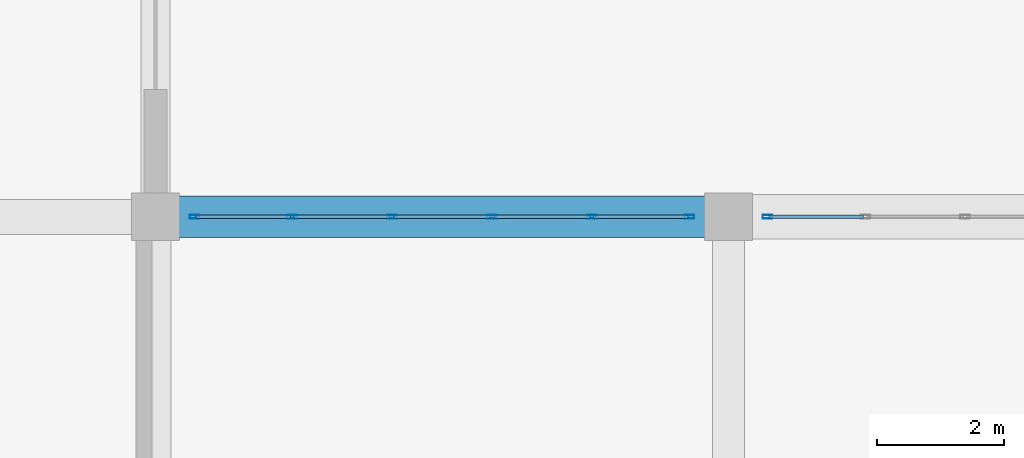
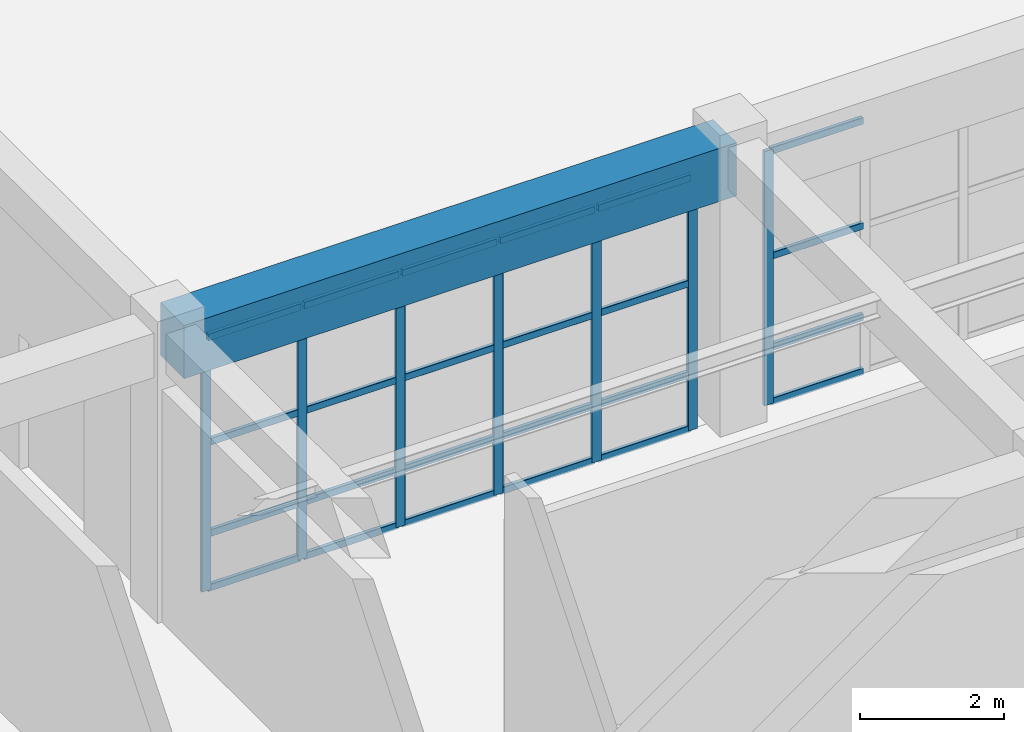
# One storey, part 68 of 128: 31 members, 1 beam, 2 elements without a shape of their own.
"""IFC4 building model written with IfcOpenShell, lengths in metres."""

from ifc_helpers import new_model, si_unit, direction, frame, origin, origin_2d, place, context, subcontext, project, spatial, rectangle, hollow_rectangle, extrude, material, material_profile, profile_set, type_object, element, aggregate, save


model = new_model("IFC4")

# Units and contexts
model_context = context("Model", 3, precision=1e-05, world=origin(), true_north=direction((0.0, 1.0)))
body_context = subcontext(model_context, "Body", "Model", "MODEL_VIEW")
ifc_project = project(units=[si_unit("LENGTHUNIT", "METRE"), si_unit("AREAUNIT", "SQUARE_METRE"), si_unit("VOLUMEUNIT", "CUBIC_METRE"), si_unit("PLANEANGLEUNIT", "RADIAN"), si_unit("MASSUNIT", "GRAM", prefix="KILO")], contexts=[model_context])

# Site, building, storey
site_placement = place(None, origin())
site = spatial("IfcSite", under=ifc_project, at=site_placement, CompositionType="ELEMENT")
building_placement = place(site_placement, origin())
building = spatial("IfcBuilding", under=site, at=building_placement, Name="Miravela Opera House", CompositionType="ELEMENT")
storey_placement = place(building_placement, origin())
storey = spatial("IfcBuildingStorey", under=building, at=storey_placement, Name="L00", CompositionType="ELEMENT", Elevation=0.0)

# Curtain wall, members
ifc_material_1 = material(Name="Anodised architectural bronze aluminium 6063-T6", Category="aluminium")
curtain_wall_type = type_object("IfcCurtainWallType", Name="ARC-CW-05", PredefinedType="NOTDEFINED", material=ifc_material_1)
curtain_wall_1_placement = place(storey_placement, origin())
curtain_wall_1 = element("IfcCurtainWall", 1, at=curtain_wall_1_placement, inside=storey, type_object=curtain_wall_type, Name="Courtyard Arcade Curtain Wall CW-L00-156", PredefinedType="NOTDEFINED")
ifc_material_profile_1 = material_profile(ifc_material_1, hollow_rectangle(XDim=0.06005859375, YDim=0.14990234375, WallThickness=0.00390625, InnerFilletRadius=0.001953125, OuterFilletRadius=0.00390625, at=origin_2d()), Name="CWM-60X150")
ifc_profile_set_1 = profile_set([ifc_material_profile_1])
member_type_1 = type_object("IfcMemberType", Name="ARC-CWM-150", PredefinedType="MULLION", material=ifc_profile_set_1)
member_1_placement = place(storey_placement, frame((117.610107421875, 84.0, 0.0), z_axis=(0.0, 0.0, 1.0), x_axis=(0.0, 1.0, 0.0)))
member_1 = element("IfcMember", 2, at=member_1_placement, type_object=member_type_1, Name="CW-05 mullion 1", PredefinedType="MULLION", context=body_context, shape_type="SweptSolid", body=[
    extrude(hollow_rectangle(XDim=0.06005859375, YDim=0.14990234375, WallThickness=0.00390625, InnerFilletRadius=0.001953125, OuterFilletRadius=0.00390625, at=origin_2d()), origin(), (0.0, 0.0, 1.0), 4.300048828125),
])
member_2_placement = place(storey_placement, frame((119.14794921875, 84.0, 0.0), z_axis=(0.0, 0.0, 1.0), x_axis=(0.0, 1.0, 0.0)))
member_2 = element("IfcMember", 3, at=member_2_placement, type_object=member_type_1, Name="CW-05 mullion 2", PredefinedType="MULLION", context=body_context, shape_type="SweptSolid", body=[
    extrude(hollow_rectangle(XDim=0.06005859375, YDim=0.14990234375, WallThickness=0.00390625, InnerFilletRadius=0.001953125, OuterFilletRadius=0.00390625, at=origin_2d()), origin(), (0.0, 0.0, 1.0), 4.300048828125),
])
member_3_placement = place(storey_placement, frame((120.716064453125, 84.0, 0.0), z_axis=(0.0, 0.0, 1.0), x_axis=(0.0, 1.0, 0.0)))
member_3 = element("IfcMember", 4, at=member_3_placement, type_object=member_type_1, Name="CW-05 mullion 3", PredefinedType="MULLION", context=body_context, shape_type="SweptSolid", body=[
    extrude(hollow_rectangle(XDim=0.06005859375, YDim=0.14990234375, WallThickness=0.00390625, InnerFilletRadius=0.001953125, OuterFilletRadius=0.00390625, at=origin_2d()), origin(), (0.0, 0.0, 1.0), 4.300048828125),
])
member_4_placement = place(storey_placement, frame((122.283935546875, 84.0, 0.0), z_axis=(0.0, 0.0, 1.0), x_axis=(0.0, 1.0, 0.0)))
member_4 = element("IfcMember", 5, at=member_4_placement, type_object=member_type_1, Name="CW-05 mullion 4", PredefinedType="MULLION", context=body_context, shape_type="SweptSolid", body=[
    extrude(hollow_rectangle(XDim=0.06005859375, YDim=0.14990234375, WallThickness=0.00390625, InnerFilletRadius=0.001953125, OuterFilletRadius=0.00390625, at=origin_2d()), origin(), (0.0, 0.0, 1.0), 4.300048828125),
])
member_5_placement = place(storey_placement, frame((123.85205078125, 84.0, 0.0), z_axis=(0.0, 0.0, 1.0), x_axis=(0.0, 1.0, 0.0)))
member_5 = element("IfcMember", 6, at=member_5_placement, type_object=member_type_1, Name="CW-05 mullion 5", PredefinedType="MULLION", context=body_context, shape_type="SweptSolid", body=[
    extrude(hollow_rectangle(XDim=0.06005859375, YDim=0.14990234375, WallThickness=0.00390625, InnerFilletRadius=0.001953125, OuterFilletRadius=0.00390625, at=origin_2d()), origin(), (0.0, 0.0, 1.0), 4.300048828125),
])
member_6_placement = place(storey_placement, frame((125.389892578125, 84.0, 0.0), z_axis=(0.0, 0.0, 1.0), x_axis=(0.0, 1.0, 0.0)))
member_6 = element("IfcMember", 7, at=member_6_placement, type_object=member_type_1, Name="CW-05 mullion 6", PredefinedType="MULLION", context=body_context, shape_type="SweptSolid", body=[
    extrude(hollow_rectangle(XDim=0.06005859375, YDim=0.14990234375, WallThickness=0.00390625, InnerFilletRadius=0.001953125, OuterFilletRadius=0.00390625, at=origin_2d()), origin(), (0.0, 0.0, 1.0), 4.300048828125),
])

# Curtain wall, member
curtain_wall_2_placement = place(storey_placement, origin())
curtain_wall_2 = element("IfcCurtainWall", 8, at=curtain_wall_2_placement, inside=storey, type_object=curtain_wall_type, Name="Courtyard Arcade Curtain Wall CW-L00-160", PredefinedType="NOTDEFINED")
member_7_placement = place(storey_placement, frame((126.610107421875, 84.0, 0.0), z_axis=(0.0, 0.0, 1.0), x_axis=(0.0, 1.0, 0.0)))
member_7 = element("IfcMember", 9, at=member_7_placement, type_object=member_type_1, Name="CW-05 mullion 1", PredefinedType="MULLION", context=body_context, shape_type="SweptSolid", body=[
    extrude(hollow_rectangle(XDim=0.06005859375, YDim=0.14990234375, WallThickness=0.00390625, InnerFilletRadius=0.001953125, OuterFilletRadius=0.00390625, at=origin_2d()), origin(), (0.0, 0.0, 1.0), 4.300048828125),
])

# Member
ifc_material_profile_2 = material_profile(ifc_material_1, hollow_rectangle(XDim=0.06005859375, YDim=0.114990234375, WallThickness=0.00390625, InnerFilletRadius=0.001953125, OuterFilletRadius=0.00390625, at=origin_2d()), Name="CWT-60X115")
ifc_profile_set_2 = profile_set([ifc_material_profile_2])
member_type_2 = type_object("IfcMemberType", Name="ARC-CWT-115", PredefinedType="USERDEFINED", material=ifc_profile_set_2)
member_8_placement = place(storey_placement, frame((117.639892578125, 84.0, 0.030029296875), z_axis=(1.0, 0.0, 0.0), x_axis=(0.0, 1.0, 0.0)))
member_8 = element("IfcMember", 10, at=member_8_placement, type_object=member_type_2, Name="CW-05 transom 1.1", ObjectType="TRANSOM", PredefinedType="USERDEFINED", context=body_context, shape_type="SweptSolid", body=[
    extrude(hollow_rectangle(XDim=0.06005859375, YDim=0.114990234375, WallThickness=0.00390625, InnerFilletRadius=0.001953125, OuterFilletRadius=0.00390625, at=origin_2d()), origin(), (0.0, 0.0, 1.0), 1.47802734375),
])

member_9_placement = place(storey_placement, frame((117.639892578125, 84.0, 0.949951171875), z_axis=(1.0, 0.0, 0.0), x_axis=(0.0, 1.0, 0.0)))
member_9 = element("IfcMember", 11, at=member_9_placement, type_object=member_type_2, Name="CW-05 transom 1.2", ObjectType="TRANSOM", PredefinedType="USERDEFINED", context=body_context, shape_type="SweptSolid", body=[
    extrude(hollow_rectangle(XDim=0.06005859375, YDim=0.114990234375, WallThickness=0.00390625, InnerFilletRadius=0.001953125, OuterFilletRadius=0.00390625, at=origin_2d()), origin(), (0.0, 0.0, 1.0), 1.47802734375),
])

member_10_placement = place(storey_placement, frame((117.639892578125, 84.0, 2.493896484375), z_axis=(1.0, 0.0, 0.0), x_axis=(0.0, 1.0, 0.0)))
member_10 = element("IfcMember", 12, at=member_10_placement, type_object=member_type_2, Name="CW-05 transom 1.3", ObjectType="TRANSOM", PredefinedType="USERDEFINED", context=body_context, shape_type="SweptSolid", body=[
    extrude(hollow_rectangle(XDim=0.06005859375, YDim=0.114990234375, WallThickness=0.00390625, InnerFilletRadius=0.001953125, OuterFilletRadius=0.00390625, at=origin_2d()), origin(), (0.0, 0.0, 1.0), 1.47802734375),
])

member_11_placement = place(storey_placement, frame((117.639892578125, 84.0, 4.27001953125), z_axis=(1.0, 0.0, 0.0), x_axis=(0.0, 1.0, 0.0)))
member_11 = element("IfcMember", 13, at=member_11_placement, type_object=member_type_2, Name="CW-05 transom 1.4", ObjectType="TRANSOM", PredefinedType="USERDEFINED", context=body_context, shape_type="SweptSolid", body=[
    extrude(hollow_rectangle(XDim=0.06005859375, YDim=0.114990234375, WallThickness=0.00390625, InnerFilletRadius=0.001953125, OuterFilletRadius=0.00390625, at=origin_2d()), origin(), (0.0, 0.0, 1.0), 1.47802734375),
])

member_12_placement = place(storey_placement, frame((119.177978515625, 84.0, 0.030029296875), z_axis=(1.0, 0.0, 0.0), x_axis=(0.0, 1.0, 0.0)))
member_12 = element("IfcMember", 14, at=member_12_placement, type_object=member_type_2, Name="CW-05 transom 2.1", ObjectType="TRANSOM", PredefinedType="USERDEFINED", context=body_context, shape_type="SweptSolid", body=[
    extrude(hollow_rectangle(XDim=0.06005859375, YDim=0.114990234375, WallThickness=0.00390625, InnerFilletRadius=0.001953125, OuterFilletRadius=0.00390625, at=origin_2d()), origin(), (0.0, 0.0, 1.0), 1.508056640625),
])

member_13_placement = place(storey_placement, frame((119.177978515625, 84.0, 0.949951171875), z_axis=(1.0, 0.0, 0.0), x_axis=(0.0, 1.0, 0.0)))
member_13 = element("IfcMember", 15, at=member_13_placement, type_object=member_type_2, Name="CW-05 transom 2.2", ObjectType="TRANSOM", PredefinedType="USERDEFINED", context=body_context, shape_type="SweptSolid", body=[
    extrude(hollow_rectangle(XDim=0.06005859375, YDim=0.114990234375, WallThickness=0.00390625, InnerFilletRadius=0.001953125, OuterFilletRadius=0.00390625, at=origin_2d()), origin(), (0.0, 0.0, 1.0), 1.508056640625),
])

member_14_placement = place(storey_placement, frame((119.177978515625, 84.0, 2.493896484375), z_axis=(1.0, 0.0, 0.0), x_axis=(0.0, 1.0, 0.0)))
member_14 = element("IfcMember", 16, at=member_14_placement, type_object=member_type_2, Name="CW-05 transom 2.3", ObjectType="TRANSOM", PredefinedType="USERDEFINED", context=body_context, shape_type="SweptSolid", body=[
    extrude(hollow_rectangle(XDim=0.06005859375, YDim=0.114990234375, WallThickness=0.00390625, InnerFilletRadius=0.001953125, OuterFilletRadius=0.00390625, at=origin_2d()), origin(), (0.0, 0.0, 1.0), 1.508056640625),
])

member_15_placement = place(storey_placement, frame((119.177978515625, 84.0, 4.27001953125), z_axis=(1.0, 0.0, 0.0), x_axis=(0.0, 1.0, 0.0)))
member_15 = element("IfcMember", 17, at=member_15_placement, type_object=member_type_2, Name="CW-05 transom 2.4", ObjectType="TRANSOM", PredefinedType="USERDEFINED", context=body_context, shape_type="SweptSolid", body=[
    extrude(hollow_rectangle(XDim=0.06005859375, YDim=0.114990234375, WallThickness=0.00390625, InnerFilletRadius=0.001953125, OuterFilletRadius=0.00390625, at=origin_2d()), origin(), (0.0, 0.0, 1.0), 1.508056640625),
])

member_16_placement = place(storey_placement, frame((120.74609375, 84.0, 0.030029296875), z_axis=(1.0, 0.0, 0.0), x_axis=(0.0, 1.0, 0.0)))
member_16 = element("IfcMember", 18, at=member_16_placement, type_object=member_type_2, Name="CW-05 transom 3.1", ObjectType="TRANSOM", PredefinedType="USERDEFINED", context=body_context, shape_type="SweptSolid", body=[
    extrude(hollow_rectangle(XDim=0.06005859375, YDim=0.114990234375, WallThickness=0.00390625, InnerFilletRadius=0.001953125, OuterFilletRadius=0.00390625, at=origin_2d()), origin(), (0.0, 0.0, 1.0), 1.5078125),
])

member_17_placement = place(storey_placement, frame((120.74609375, 84.0, 0.949951171875), z_axis=(1.0, 0.0, 0.0), x_axis=(0.0, 1.0, 0.0)))
member_17 = element("IfcMember", 19, at=member_17_placement, type_object=member_type_2, Name="CW-05 transom 3.2", ObjectType="TRANSOM", PredefinedType="USERDEFINED", context=body_context, shape_type="SweptSolid", body=[
    extrude(hollow_rectangle(XDim=0.06005859375, YDim=0.114990234375, WallThickness=0.00390625, InnerFilletRadius=0.001953125, OuterFilletRadius=0.00390625, at=origin_2d()), origin(), (0.0, 0.0, 1.0), 1.5078125),
])

member_18_placement = place(storey_placement, frame((120.74609375, 84.0, 2.493896484375), z_axis=(1.0, 0.0, 0.0), x_axis=(0.0, 1.0, 0.0)))
member_18 = element("IfcMember", 20, at=member_18_placement, type_object=member_type_2, Name="CW-05 transom 3.3", ObjectType="TRANSOM", PredefinedType="USERDEFINED", context=body_context, shape_type="SweptSolid", body=[
    extrude(hollow_rectangle(XDim=0.06005859375, YDim=0.114990234375, WallThickness=0.00390625, InnerFilletRadius=0.001953125, OuterFilletRadius=0.00390625, at=origin_2d()), origin(), (0.0, 0.0, 1.0), 1.5078125),
])

member_19_placement = place(storey_placement, frame((120.74609375, 84.0, 4.27001953125), z_axis=(1.0, 0.0, 0.0), x_axis=(0.0, 1.0, 0.0)))
member_19 = element("IfcMember", 21, at=member_19_placement, type_object=member_type_2, Name="CW-05 transom 3.4", ObjectType="TRANSOM", PredefinedType="USERDEFINED", context=body_context, shape_type="SweptSolid", body=[
    extrude(hollow_rectangle(XDim=0.06005859375, YDim=0.114990234375, WallThickness=0.00390625, InnerFilletRadius=0.001953125, OuterFilletRadius=0.00390625, at=origin_2d()), origin(), (0.0, 0.0, 1.0), 1.5078125),
])

member_20_placement = place(storey_placement, frame((122.31396484375, 84.0, 0.030029296875), z_axis=(1.0, 0.0, 0.0), x_axis=(0.0, 1.0, 0.0)))
member_20 = element("IfcMember", 22, at=member_20_placement, type_object=member_type_2, Name="CW-05 transom 4.1", ObjectType="TRANSOM", PredefinedType="USERDEFINED", context=body_context, shape_type="SweptSolid", body=[
    extrude(hollow_rectangle(XDim=0.06005859375, YDim=0.114990234375, WallThickness=0.00390625, InnerFilletRadius=0.001953125, OuterFilletRadius=0.00390625, at=origin_2d()), origin(), (0.0, 0.0, 1.0), 1.508056640625),
])

member_21_placement = place(storey_placement, frame((122.31396484375, 84.0, 0.949951171875), z_axis=(1.0, 0.0, 0.0), x_axis=(0.0, 1.0, 0.0)))
member_21 = element("IfcMember", 23, at=member_21_placement, type_object=member_type_2, Name="CW-05 transom 4.2", ObjectType="TRANSOM", PredefinedType="USERDEFINED", context=body_context, shape_type="SweptSolid", body=[
    extrude(hollow_rectangle(XDim=0.06005859375, YDim=0.114990234375, WallThickness=0.00390625, InnerFilletRadius=0.001953125, OuterFilletRadius=0.00390625, at=origin_2d()), origin(), (0.0, 0.0, 1.0), 1.508056640625),
])

member_22_placement = place(storey_placement, frame((122.31396484375, 84.0, 2.493896484375), z_axis=(1.0, 0.0, 0.0), x_axis=(0.0, 1.0, 0.0)))
member_22 = element("IfcMember", 24, at=member_22_placement, type_object=member_type_2, Name="CW-05 transom 4.3", ObjectType="TRANSOM", PredefinedType="USERDEFINED", context=body_context, shape_type="SweptSolid", body=[
    extrude(hollow_rectangle(XDim=0.06005859375, YDim=0.114990234375, WallThickness=0.00390625, InnerFilletRadius=0.001953125, OuterFilletRadius=0.00390625, at=origin_2d()), origin(), (0.0, 0.0, 1.0), 1.508056640625),
])

member_23_placement = place(storey_placement, frame((122.31396484375, 84.0, 4.27001953125), z_axis=(1.0, 0.0, 0.0), x_axis=(0.0, 1.0, 0.0)))
member_23 = element("IfcMember", 25, at=member_23_placement, type_object=member_type_2, Name="CW-05 transom 4.4", ObjectType="TRANSOM", PredefinedType="USERDEFINED", context=body_context, shape_type="SweptSolid", body=[
    extrude(hollow_rectangle(XDim=0.06005859375, YDim=0.114990234375, WallThickness=0.00390625, InnerFilletRadius=0.001953125, OuterFilletRadius=0.00390625, at=origin_2d()), origin(), (0.0, 0.0, 1.0), 1.508056640625),
])

member_24_placement = place(storey_placement, frame((123.882080078125, 84.0, 0.030029296875), z_axis=(1.0, 0.0, 0.0), x_axis=(0.0, 1.0, 0.0)))
member_24 = element("IfcMember", 26, at=member_24_placement, type_object=member_type_2, Name="CW-05 transom 5.1", ObjectType="TRANSOM", PredefinedType="USERDEFINED", context=body_context, shape_type="SweptSolid", body=[
    extrude(hollow_rectangle(XDim=0.06005859375, YDim=0.114990234375, WallThickness=0.00390625, InnerFilletRadius=0.001953125, OuterFilletRadius=0.00390625, at=origin_2d()), origin(), (0.0, 0.0, 1.0), 1.47802734375),
])

member_25_placement = place(storey_placement, frame((123.882080078125, 84.0, 0.949951171875), z_axis=(1.0, 0.0, 0.0), x_axis=(0.0, 1.0, 0.0)))
member_25 = element("IfcMember", 27, at=member_25_placement, type_object=member_type_2, Name="CW-05 transom 5.2", ObjectType="TRANSOM", PredefinedType="USERDEFINED", context=body_context, shape_type="SweptSolid", body=[
    extrude(hollow_rectangle(XDim=0.06005859375, YDim=0.114990234375, WallThickness=0.00390625, InnerFilletRadius=0.001953125, OuterFilletRadius=0.00390625, at=origin_2d()), origin(), (0.0, 0.0, 1.0), 1.47802734375),
])

member_26_placement = place(storey_placement, frame((123.882080078125, 84.0, 2.493896484375), z_axis=(1.0, 0.0, 0.0), x_axis=(0.0, 1.0, 0.0)))
member_26 = element("IfcMember", 28, at=member_26_placement, type_object=member_type_2, Name="CW-05 transom 5.3", ObjectType="TRANSOM", PredefinedType="USERDEFINED", context=body_context, shape_type="SweptSolid", body=[
    extrude(hollow_rectangle(XDim=0.06005859375, YDim=0.114990234375, WallThickness=0.00390625, InnerFilletRadius=0.001953125, OuterFilletRadius=0.00390625, at=origin_2d()), origin(), (0.0, 0.0, 1.0), 1.47802734375),
])

member_27_placement = place(storey_placement, frame((123.882080078125, 84.0, 4.27001953125), z_axis=(1.0, 0.0, 0.0), x_axis=(0.0, 1.0, 0.0)))
member_27 = element("IfcMember", 29, at=member_27_placement, type_object=member_type_2, Name="CW-05 transom 5.4", ObjectType="TRANSOM", PredefinedType="USERDEFINED", context=body_context, shape_type="SweptSolid", body=[
    extrude(hollow_rectangle(XDim=0.06005859375, YDim=0.114990234375, WallThickness=0.00390625, InnerFilletRadius=0.001953125, OuterFilletRadius=0.00390625, at=origin_2d()), origin(), (0.0, 0.0, 1.0), 1.47802734375),
])

aggregate(curtain_wall_1, [member_1, member_2, member_3, member_4, member_5, member_6, member_8, member_9, member_10, member_11, member_12, member_13, member_14, member_15, member_16, member_17, member_18, member_19, member_20, member_21, member_22, member_23, member_24, member_25, member_26, member_27])

member_28_placement = place(storey_placement, frame((126.639892578125, 84.0, 0.030029296875), z_axis=(1.0, 0.0, 0.0), x_axis=(0.0, 1.0, 0.0)))
member_28 = element("IfcMember", 30, at=member_28_placement, type_object=member_type_2, Name="CW-05 transom 1.1", ObjectType="TRANSOM", PredefinedType="USERDEFINED", context=body_context, shape_type="SweptSolid", body=[
    extrude(hollow_rectangle(XDim=0.06005859375, YDim=0.114990234375, WallThickness=0.00390625, InnerFilletRadius=0.001953125, OuterFilletRadius=0.00390625, at=origin_2d()), origin(), (0.0, 0.0, 1.0), 1.47802734375),
])

member_29_placement = place(storey_placement, frame((126.639892578125, 84.0, 0.949951171875), z_axis=(1.0, 0.0, 0.0), x_axis=(0.0, 1.0, 0.0)))
member_29 = element("IfcMember", 31, at=member_29_placement, type_object=member_type_2, Name="CW-05 transom 1.2", ObjectType="TRANSOM", PredefinedType="USERDEFINED", context=body_context, shape_type="SweptSolid", body=[
    extrude(hollow_rectangle(XDim=0.06005859375, YDim=0.114990234375, WallThickness=0.00390625, InnerFilletRadius=0.001953125, OuterFilletRadius=0.00390625, at=origin_2d()), origin(), (0.0, 0.0, 1.0), 1.47802734375),
])

member_30_placement = place(storey_placement, frame((126.639892578125, 84.0, 2.493896484375), z_axis=(1.0, 0.0, 0.0), x_axis=(0.0, 1.0, 0.0)))
member_30 = element("IfcMember", 32, at=member_30_placement, type_object=member_type_2, Name="CW-05 transom 1.3", ObjectType="TRANSOM", PredefinedType="USERDEFINED", context=body_context, shape_type="SweptSolid", body=[
    extrude(hollow_rectangle(XDim=0.06005859375, YDim=0.114990234375, WallThickness=0.00390625, InnerFilletRadius=0.001953125, OuterFilletRadius=0.00390625, at=origin_2d()), origin(), (0.0, 0.0, 1.0), 1.47802734375),
])

member_31_placement = place(storey_placement, frame((126.639892578125, 84.0, 4.27001953125), z_axis=(1.0, 0.0, 0.0), x_axis=(0.0, 1.0, 0.0)))
member_31 = element("IfcMember", 33, at=member_31_placement, type_object=member_type_2, Name="CW-05 transom 1.4", ObjectType="TRANSOM", PredefinedType="USERDEFINED", context=body_context, shape_type="SweptSolid", body=[
    extrude(hollow_rectangle(XDim=0.06005859375, YDim=0.114990234375, WallThickness=0.00390625, InnerFilletRadius=0.001953125, OuterFilletRadius=0.00390625, at=origin_2d()), origin(), (0.0, 0.0, 1.0), 1.47802734375),
])

aggregate(curtain_wall_2, [member_7, member_28, member_29, member_30, member_31])

# Beam
ifc_material_2 = material(Name="Concrete C40/50", Category="concrete")
ifc_material_profile_3 = material_profile(ifc_material_2, rectangle(XDim=0.64990234375, YDim=0.89990234375, at=origin_2d()), Name="RC-BM-650X900")
ifc_profile_set_3 = profile_set([ifc_material_profile_3])
beam_type = type_object("IfcBeamType", Name="STR-BM-RC650X900", PredefinedType="BEAM", material=ifc_profile_set_3)
beam_placement = place(storey_placement, frame((117.080078125, 84.0, 4.39990234375), z_axis=(1.0, 0.0, 0.0), x_axis=(0.0, 1.0, 0.0)))
element("IfcBeam", 34, at=beam_placement, inside=storey, type_object=beam_type, Name="Floor Girder L00 14-15/J", PredefinedType="BEAM", context=body_context, shape_type="SweptSolid", body=[
    extrude(rectangle(XDim=0.64990234375, YDim=0.89990234375, at=origin_2d()), origin(), (0.0, 0.0, 1.0), 8.83984375),
])

save(model, "model.ifc")
